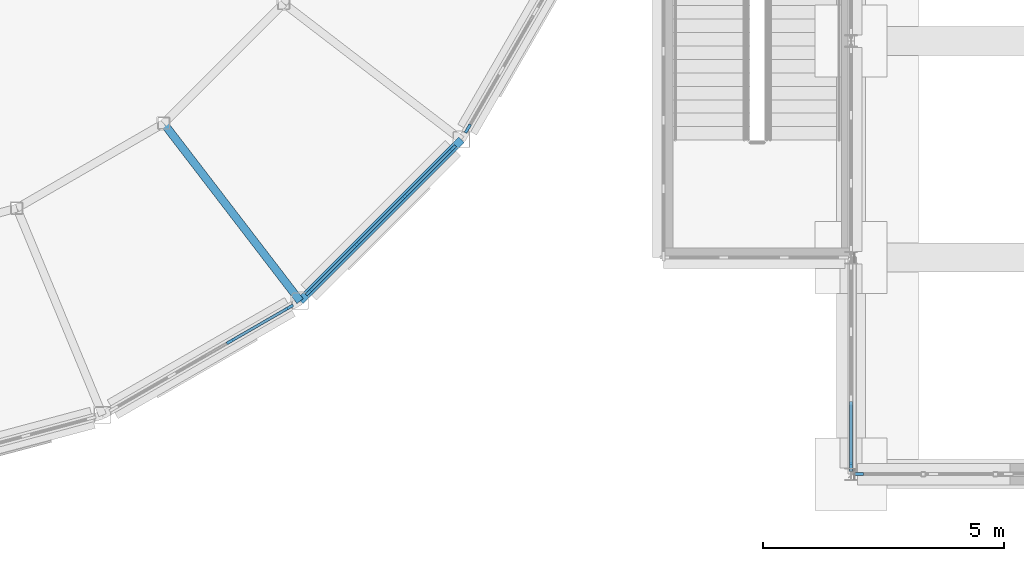
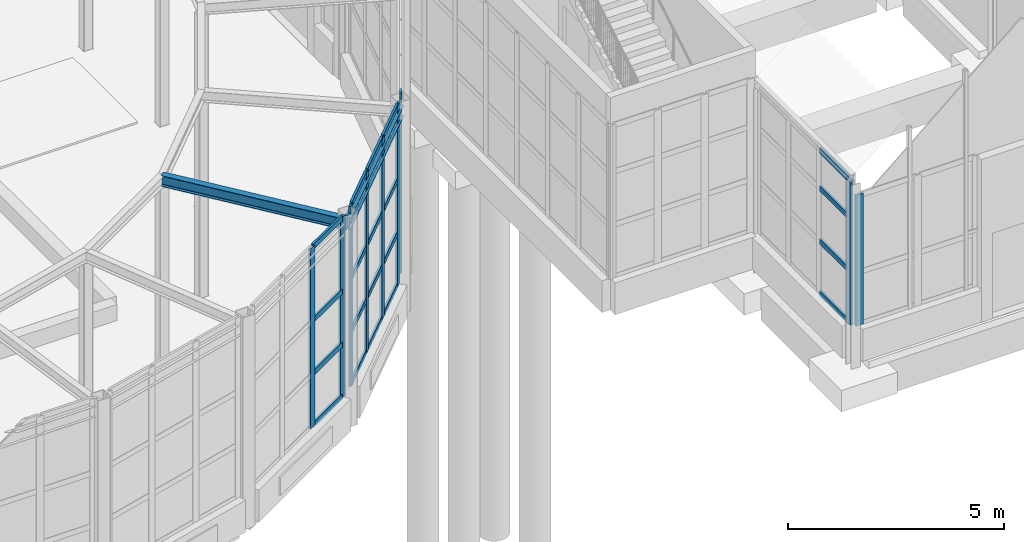
# One storey, part 38 of 106: 29 members, 2 beams, 5 elements without a shape of their own.
"""IFC4 building model written with IfcOpenShell, lengths in metres."""

from ifc_helpers import new_model, si_unit, direction, frame, origin, origin_2d, place, context, subcontext, project, spatial, rectangle, i_section, extrude, material, layer, layer_set, material_profile, profile_set, type_object, element, aggregate, save


model = new_model("IFC4")

# Units and contexts
model_context = context("Model", 3, precision=1e-05, world=origin(), true_north=direction((0.0, 1.0)))
body_context = subcontext(model_context, "Body", "Model", "MODEL_VIEW")
ifc_project = project(units=[si_unit("LENGTHUNIT", "METRE"), si_unit("AREAUNIT", "SQUARE_METRE"), si_unit("VOLUMEUNIT", "CUBIC_METRE"), si_unit("PLANEANGLEUNIT", "RADIAN"), si_unit("MASSUNIT", "GRAM", prefix="KILO")], contexts=[model_context])

# Site, building, storey
site_placement = place(None, origin())
site = spatial("IfcSite", under=ifc_project, at=site_placement, CompositionType="ELEMENT")
building_placement = place(site_placement, origin())
building = spatial("IfcBuilding", under=site, at=building_placement, Name="Hortulan Conservatory and Botanical Research Centre", CompositionType="ELEMENT")
storey_placement = place(building_placement, origin())
storey = spatial("IfcBuildingStorey", under=building, at=storey_placement, Name="L00", CompositionType="ELEMENT", Elevation=0.0)

# Curtain wall, members
ifc_material_1 = material(Name="Bronze-finished aluminium", Category="aluminium")
ifc_layer = layer(ifc_material_1, 0.10009765625)
ifc_layer_set = layer_set([ifc_layer], Name="Bronze-framed Curtain Wall 1500 module")
curtain_wall_type = type_object("IfcCurtainWallType", Name="Bronze-framed Curtain Wall 1500 module", PredefinedType="NOTDEFINED", material=ifc_layer_set)
curtain_wall_1_placement = place(storey_placement, origin())
curtain_wall_1 = element("IfcCurtainWall", 1, at=curtain_wall_1_placement, inside=storey, type_object=curtain_wall_type, Name="Curtain wall", PredefinedType="NOTDEFINED")
ifc_material_profile_1 = material_profile(ifc_material_1, rectangle(XDim=0.06005859375, YDim=0.199951171875, at=origin_2d()), Name="Bronze Mullion 60x200")
ifc_profile_set_1 = profile_set([ifc_material_profile_1], Name="Bronze-finished aluminium")
member_type_1 = type_object("IfcMemberType", Name="Bronze Mullion 60x200", PredefinedType="MULLION", material=ifc_profile_set_1)
member_1_placement = place(storey_placement, frame((64.81884765625, 3.461669921875, 0.89990234375), z_axis=(0.0, 0.0, 1.0), x_axis=(0.499981160235, -0.866036280655, 0.0)))
member_1 = element("IfcMember", 2, at=member_1_placement, type_object=member_type_1, Name="CW1 mullion 1", PredefinedType="MULLION", context=body_context, shape_type="SweptSolid", body=[
    extrude(rectangle(XDim=0.06005859375, YDim=0.199951171875, at=origin_2d()), origin(), (0.0, 0.0, 1.0), 5.10009765625),
])
member_2_placement = place(storey_placement, frame((63.614990234375, 2.7666015625, 0.89990234375), z_axis=(0.0, 0.0, 1.0), x_axis=(0.499981160235, -0.866036280655, 0.0)))
member_2 = element("IfcMember", 3, at=member_2_placement, type_object=member_type_1, Name="CW1 mullion 2", PredefinedType="MULLION", context=body_context, shape_type="SweptSolid", body=[
    extrude(rectangle(XDim=0.06005859375, YDim=0.199951171875, at=origin_2d()), origin(), (0.0, 0.0, 1.0), 5.10009765625),
])

curtain_wall_2_placement = place(storey_placement, origin())
curtain_wall_2 = element("IfcCurtainWall", 4, at=curtain_wall_2_placement, inside=storey, type_object=curtain_wall_type, Name="Curtain wall", PredefinedType="NOTDEFINED")
member_3_placement = place(storey_placement, frame((68.207763671875, 6.751708984375, 0.89990234375), z_axis=(0.0, 0.0, 1.0), x_axis=(0.707106781187, -0.707106781187, 0.0)))
member_3 = element("IfcMember", 5, at=member_3_placement, type_object=member_type_1, Name="CW1 mullion 1", PredefinedType="MULLION", context=body_context, shape_type="SweptSolid", body=[
    extrude(rectangle(XDim=0.06005859375, YDim=0.199951171875, at=origin_2d()), origin(), (0.0, 0.0, 1.0), 5.10009765625),
])
member_4_placement = place(storey_placement, frame((67.228271484375, 5.7724609375, 0.89990234375), z_axis=(0.0, 0.0, 1.0), x_axis=(0.707106781187, -0.707106781187, 0.0)))
member_4 = element("IfcMember", 6, at=member_4_placement, type_object=member_type_1, Name="CW1 mullion 2", PredefinedType="MULLION", context=body_context, shape_type="SweptSolid", body=[
    extrude(rectangle(XDim=0.06005859375, YDim=0.199951171875, at=origin_2d()), origin(), (0.0, 0.0, 1.0), 5.10009765625),
])
member_5_placement = place(storey_placement, frame((66.2275390625, 4.771728515625, 0.89990234375), z_axis=(0.0, 0.0, 1.0), x_axis=(0.707106781187, -0.707106781187, 0.0)))
member_5 = element("IfcMember", 7, at=member_5_placement, type_object=member_type_1, Name="CW1 mullion 3", PredefinedType="MULLION", context=body_context, shape_type="SweptSolid", body=[
    extrude(rectangle(XDim=0.06005859375, YDim=0.199951171875, at=origin_2d()), origin(), (0.0, 0.0, 1.0), 5.10009765625),
])
member_6_placement = place(storey_placement, frame((65.248291015625, 3.792236328125, 0.89990234375), z_axis=(0.0, 0.0, 1.0), x_axis=(0.707106781187, -0.707106781187, 0.0)))
member_6 = element("IfcMember", 8, at=member_6_placement, type_object=member_type_1, Name="CW1 mullion 4", PredefinedType="MULLION", context=body_context, shape_type="SweptSolid", body=[
    extrude(rectangle(XDim=0.06005859375, YDim=0.199951171875, at=origin_2d()), origin(), (0.0, 0.0, 1.0), 5.10009765625),
])

# Curtain wall, member
curtain_wall_3_placement = place(storey_placement, origin())
curtain_wall_3 = element("IfcCurtainWall", 9, at=curtain_wall_3_placement, inside=storey, type_object=curtain_wall_type, Name="Curtain wall", PredefinedType="NOTDEFINED")
member_7_placement = place(storey_placement, frame((68.538330078125, 7.18115234375, 0.89990234375), z_axis=(0.0, 0.0, 1.0), x_axis=(0.866036280655, -0.499981160235, 0.0)))
member_7 = element("IfcMember", 10, at=member_7_placement, type_object=member_type_1, Name="CW1 mullion 4", PredefinedType="MULLION", context=body_context, shape_type="SweptSolid", body=[
    extrude(rectangle(XDim=0.06005859375, YDim=0.199951171875, at=origin_2d()), origin(), (0.0, 0.0, 1.0), 5.10009765625),
])
aggregate(curtain_wall_3, [member_7])

curtain_wall_4_placement = place(storey_placement, origin())
curtain_wall_4 = element("IfcCurtainWall", 11, at=curtain_wall_4_placement, inside=storey, type_object=curtain_wall_type, Name="Curtain wall", PredefinedType="NOTDEFINED")
member_8_placement = place(storey_placement, frame((76.656982421875, 0.0, 0.89990234375), z_axis=(0.0, 0.0, 1.0), x_axis=(0.0, -1.0, 0.0)))
member_8 = element("IfcMember", 12, at=member_8_placement, type_object=member_type_1, Name="CW1 mullion 3", PredefinedType="MULLION", context=body_context, shape_type="SweptSolid", body=[
    extrude(rectangle(XDim=0.06005859375, YDim=0.199951171875, at=origin_2d()), origin(), (0.0, 0.0, 1.0), 3.7001953125),
])
aggregate(curtain_wall_4, [member_8])

curtain_wall_5_placement = place(storey_placement, origin())
curtain_wall_5 = element("IfcCurtainWall", 13, at=curtain_wall_5_placement, inside=storey, type_object=curtain_wall_type, Name="Curtain wall", PredefinedType="NOTDEFINED")
member_9_placement = place(storey_placement, frame((76.5, 0.156982421875, 0.89990234375), z_axis=(0.0, 0.0, 1.0), x_axis=(1.0, 0.0, 0.0)))
member_9 = element("IfcMember", 14, at=member_9_placement, type_object=member_type_1, Name="CW1 mullion 4", PredefinedType="MULLION", context=body_context, shape_type="SweptSolid", body=[
    extrude(rectangle(XDim=0.06005859375, YDim=0.199951171875, at=origin_2d()), origin(), (0.0, 0.0, 1.0), 4.10009765625),
])

# Member
ifc_material_profile_2 = material_profile(ifc_material_1, rectangle(XDim=0.06005859375, YDim=0.14990234375, at=origin_2d()), Name="Bronze Transom 60x150")
ifc_profile_set_2 = profile_set([ifc_material_profile_2], Name="Bronze-finished aluminium")
member_type_2 = type_object("IfcMemberType", Name="Bronze Transom 60x150", PredefinedType="USERDEFINED", material=ifc_profile_set_2)
member_10_placement = place(storey_placement, frame((64.79296875, 3.446533203125, 0.929931640625), z_axis=(-0.866066400931, -0.499928984136, 0.0), x_axis=(0.499928984136, -0.866066400931, 0.0)))
member_10 = element("IfcMember", 15, at=member_10_placement, type_object=member_type_2, Name="CW1 transom 1.1", ObjectType="TRANSOM", PredefinedType="USERDEFINED", context=body_context, shape_type="SweptSolid", body=[
    extrude(rectangle(XDim=0.06005859375, YDim=0.14990234375, at=origin_2d()), origin(), (0.0, 0.0, 1.0), 1.330322265625),
])

member_11_placement = place(storey_placement, frame((64.79296875, 3.446533203125, 2.39990234375), z_axis=(-0.866066400931, -0.499928984136, 0.0), x_axis=(0.499928984136, -0.866066400931, 0.0)))
member_11 = element("IfcMember", 16, at=member_11_placement, type_object=member_type_2, Name="CW1 transom 1.2", ObjectType="TRANSOM", PredefinedType="USERDEFINED", context=body_context, shape_type="SweptSolid", body=[
    extrude(rectangle(XDim=0.06005859375, YDim=0.14990234375, at=origin_2d()), origin(), (0.0, 0.0, 1.0), 1.330322265625),
])

member_12_placement = place(storey_placement, frame((64.79296875, 3.446533203125, 3.89990234375), z_axis=(-0.866066400931, -0.499928984136, 0.0), x_axis=(0.499928984136, -0.866066400931, 0.0)))
member_12 = element("IfcMember", 17, at=member_12_placement, type_object=member_type_2, Name="CW1 transom 1.3", ObjectType="TRANSOM", PredefinedType="USERDEFINED", context=body_context, shape_type="SweptSolid", body=[
    extrude(rectangle(XDim=0.06005859375, YDim=0.14990234375, at=origin_2d()), origin(), (0.0, 0.0, 1.0), 1.330322265625),
])

member_13_placement = place(storey_placement, frame((64.79296875, 3.446533203125, 5.969970703125), z_axis=(-0.866066400931, -0.499928984136, 0.0), x_axis=(0.499928984136, -0.866066400931, 0.0)))
member_13 = element("IfcMember", 18, at=member_13_placement, type_object=member_type_2, Name="CW1 transom 1.4", ObjectType="TRANSOM", PredefinedType="USERDEFINED", context=body_context, shape_type="SweptSolid", body=[
    extrude(rectangle(XDim=0.06005859375, YDim=0.14990234375, at=origin_2d()), origin(), (0.0, 0.0, 1.0), 1.330322265625),
])

aggregate(curtain_wall_1, [member_1, member_2, member_10, member_11, member_12, member_13])

member_14_placement = place(storey_placement, frame((68.1865234375, 6.73046875, 0.929931640625), z_axis=(-0.70719890636, -0.707014644009, 0.0), x_axis=(0.707014644009, -0.70719890636, 0.0)))
member_14 = element("IfcMember", 19, at=member_14_placement, type_object=member_type_2, Name="CW1 transom 1.1", ObjectType="TRANSOM", PredefinedType="USERDEFINED", context=body_context, shape_type="SweptSolid", body=[
    extrude(rectangle(XDim=0.06005859375, YDim=0.14990234375, at=origin_2d()), origin(), (0.0, 0.0, 1.0), 1.324951171875),
])

member_15_placement = place(storey_placement, frame((68.1865234375, 6.73046875, 2.39990234375), z_axis=(-0.70719890636, -0.707014644009, 0.0), x_axis=(0.707014644009, -0.70719890636, 0.0)))
member_15 = element("IfcMember", 20, at=member_15_placement, type_object=member_type_2, Name="CW1 transom 1.2", ObjectType="TRANSOM", PredefinedType="USERDEFINED", context=body_context, shape_type="SweptSolid", body=[
    extrude(rectangle(XDim=0.06005859375, YDim=0.14990234375, at=origin_2d()), origin(), (0.0, 0.0, 1.0), 1.324951171875),
])

member_16_placement = place(storey_placement, frame((68.1865234375, 6.73046875, 3.89990234375), z_axis=(-0.70719890636, -0.707014644009, 0.0), x_axis=(0.707014644009, -0.70719890636, 0.0)))
member_16 = element("IfcMember", 21, at=member_16_placement, type_object=member_type_2, Name="CW1 transom 1.3", ObjectType="TRANSOM", PredefinedType="USERDEFINED", context=body_context, shape_type="SweptSolid", body=[
    extrude(rectangle(XDim=0.06005859375, YDim=0.14990234375, at=origin_2d()), origin(), (0.0, 0.0, 1.0), 1.324951171875),
])

member_17_placement = place(storey_placement, frame((68.1865234375, 6.73046875, 5.969970703125), z_axis=(-0.70719890636, -0.707014644009, 0.0), x_axis=(0.707014644009, -0.70719890636, 0.0)))
member_17 = element("IfcMember", 22, at=member_17_placement, type_object=member_type_2, Name="CW1 transom 1.4", ObjectType="TRANSOM", PredefinedType="USERDEFINED", context=body_context, shape_type="SweptSolid", body=[
    extrude(rectangle(XDim=0.06005859375, YDim=0.14990234375, at=origin_2d()), origin(), (0.0, 0.0, 1.0), 1.324951171875),
])

member_18_placement = place(storey_placement, frame((67.20703125, 5.751220703125, 0.929931640625), z_axis=(-0.707106781187, -0.707106781187, 0.0), x_axis=(0.707106781187, -0.707106781187, 0.0)))
member_18 = element("IfcMember", 23, at=member_18_placement, type_object=member_type_2, Name="CW1 transom 2.1", ObjectType="TRANSOM", PredefinedType="USERDEFINED", context=body_context, shape_type="SweptSolid", body=[
    extrude(rectangle(XDim=0.06005859375, YDim=0.14990234375, at=origin_2d()), origin(), (0.0, 0.0, 1.0), 1.355224609375),
])

member_19_placement = place(storey_placement, frame((67.20703125, 5.751220703125, 2.39990234375), z_axis=(-0.707106781187, -0.707106781187, 0.0), x_axis=(0.707106781187, -0.707106781187, 0.0)))
member_19 = element("IfcMember", 24, at=member_19_placement, type_object=member_type_2, Name="CW1 transom 2.2", ObjectType="TRANSOM", PredefinedType="USERDEFINED", context=body_context, shape_type="SweptSolid", body=[
    extrude(rectangle(XDim=0.06005859375, YDim=0.14990234375, at=origin_2d()), origin(), (0.0, 0.0, 1.0), 1.355224609375),
])

member_20_placement = place(storey_placement, frame((67.20703125, 5.751220703125, 3.89990234375), z_axis=(-0.707106781187, -0.707106781187, 0.0), x_axis=(0.707106781187, -0.707106781187, 0.0)))
member_20 = element("IfcMember", 25, at=member_20_placement, type_object=member_type_2, Name="CW1 transom 2.3", ObjectType="TRANSOM", PredefinedType="USERDEFINED", context=body_context, shape_type="SweptSolid", body=[
    extrude(rectangle(XDim=0.06005859375, YDim=0.14990234375, at=origin_2d()), origin(), (0.0, 0.0, 1.0), 1.355224609375),
])

member_21_placement = place(storey_placement, frame((67.20703125, 5.751220703125, 5.969970703125), z_axis=(-0.707106781187, -0.707106781187, 0.0), x_axis=(0.707106781187, -0.707106781187, 0.0)))
member_21 = element("IfcMember", 26, at=member_21_placement, type_object=member_type_2, Name="CW1 transom 2.4", ObjectType="TRANSOM", PredefinedType="USERDEFINED", context=body_context, shape_type="SweptSolid", body=[
    extrude(rectangle(XDim=0.06005859375, YDim=0.14990234375, at=origin_2d()), origin(), (0.0, 0.0, 1.0), 1.355224609375),
])

member_22_placement = place(storey_placement, frame((66.206298828125, 4.75048828125, 0.929931640625), z_axis=(-0.707014644009, -0.70719890636, 0.0), x_axis=(0.70719890636, -0.707014644009, 0.0)))
member_22 = element("IfcMember", 27, at=member_22_placement, type_object=member_type_2, Name="CW1 transom 3.1", ObjectType="TRANSOM", PredefinedType="USERDEFINED", context=body_context, shape_type="SweptSolid", body=[
    extrude(rectangle(XDim=0.06005859375, YDim=0.14990234375, at=origin_2d()), origin(), (0.0, 0.0, 1.0), 1.324951171875),
])

member_23_placement = place(storey_placement, frame((66.206298828125, 4.75048828125, 2.39990234375), z_axis=(-0.707014644009, -0.70719890636, 0.0), x_axis=(0.70719890636, -0.707014644009, 0.0)))
member_23 = element("IfcMember", 28, at=member_23_placement, type_object=member_type_2, Name="CW1 transom 3.2", ObjectType="TRANSOM", PredefinedType="USERDEFINED", context=body_context, shape_type="SweptSolid", body=[
    extrude(rectangle(XDim=0.06005859375, YDim=0.14990234375, at=origin_2d()), origin(), (0.0, 0.0, 1.0), 1.324951171875),
])

member_24_placement = place(storey_placement, frame((66.206298828125, 4.75048828125, 3.89990234375), z_axis=(-0.707014644009, -0.70719890636, 0.0), x_axis=(0.70719890636, -0.707014644009, 0.0)))
member_24 = element("IfcMember", 29, at=member_24_placement, type_object=member_type_2, Name="CW1 transom 3.3", ObjectType="TRANSOM", PredefinedType="USERDEFINED", context=body_context, shape_type="SweptSolid", body=[
    extrude(rectangle(XDim=0.06005859375, YDim=0.14990234375, at=origin_2d()), origin(), (0.0, 0.0, 1.0), 1.324951171875),
])

member_25_placement = place(storey_placement, frame((66.206298828125, 4.75048828125, 5.969970703125), z_axis=(-0.707014644009, -0.70719890636, 0.0), x_axis=(0.70719890636, -0.707014644009, 0.0)))
member_25 = element("IfcMember", 30, at=member_25_placement, type_object=member_type_2, Name="CW1 transom 3.4", ObjectType="TRANSOM", PredefinedType="USERDEFINED", context=body_context, shape_type="SweptSolid", body=[
    extrude(rectangle(XDim=0.06005859375, YDim=0.14990234375, at=origin_2d()), origin(), (0.0, 0.0, 1.0), 1.324951171875),
])

aggregate(curtain_wall_2, [member_3, member_4, member_5, member_6, member_14, member_15, member_16, member_17, member_18, member_19, member_20, member_21, member_22, member_23, member_24, member_25])

member_26_placement = place(storey_placement, frame((76.5, 1.512451171875, 0.929931640625), z_axis=(0.0, -1.0, 0.0), x_axis=(1.0, 0.0, 0.0)))
member_26 = element("IfcMember", 31, at=member_26_placement, type_object=member_type_2, Name="CW1 transom 3.1", ObjectType="TRANSOM", PredefinedType="USERDEFINED", context=body_context, shape_type="SweptSolid", body=[
    extrude(rectangle(XDim=0.06005859375, YDim=0.14990234375, at=origin_2d()), origin(), (0.0, 0.0, 1.0), 1.325439453125),
])

member_27_placement = place(storey_placement, frame((76.5, 1.512451171875, 2.39990234375), z_axis=(0.0, -1.0, 0.0), x_axis=(1.0, 0.0, 0.0)))
member_27 = element("IfcMember", 32, at=member_27_placement, type_object=member_type_2, Name="CW1 transom 3.2", ObjectType="TRANSOM", PredefinedType="USERDEFINED", context=body_context, shape_type="SweptSolid", body=[
    extrude(rectangle(XDim=0.06005859375, YDim=0.14990234375, at=origin_2d()), origin(), (0.0, 0.0, 1.0), 1.325439453125),
])

member_28_placement = place(storey_placement, frame((76.5, 1.512451171875, 3.89990234375), z_axis=(0.0, -1.0, 0.0), x_axis=(1.0, 0.0, 0.0)))
member_28 = element("IfcMember", 33, at=member_28_placement, type_object=member_type_2, Name="CW1 transom 3.3", ObjectType="TRANSOM", PredefinedType="USERDEFINED", context=body_context, shape_type="SweptSolid", body=[
    extrude(rectangle(XDim=0.06005859375, YDim=0.14990234375, at=origin_2d()), origin(), (0.0, 0.0, 1.0), 1.325439453125),
])

member_29_placement = place(storey_placement, frame((76.5, 1.512451171875, 4.969970703125), z_axis=(0.0, -1.0, 0.0), x_axis=(1.0, 0.0, 0.0)))
member_29 = element("IfcMember", 34, at=member_29_placement, type_object=member_type_2, Name="CW1 transom 3.4", ObjectType="TRANSOM", PredefinedType="USERDEFINED", context=body_context, shape_type="SweptSolid", body=[
    extrude(rectangle(XDim=0.06005859375, YDim=0.14990234375, at=origin_2d()), origin(), (0.0, 0.0, 1.0), 1.325439453125),
])

aggregate(curtain_wall_5, [member_9, member_26, member_27, member_28, member_29])

# Beams
ifc_material_2 = material(Name="Steel Grade 300PLUS (AS/NZS 3679.1, 280 MPa minimum yield)", Category="steel")
ifc_material_profile_3 = material_profile(ifc_material_2, i_section(OverallWidth=0.166015625, OverallDepth=0.306884765625, WebThickness=0.006591796875, FlangeThickness=0.01171875, FilletRadius=0.011474609375, at=origin_2d()), Name="310UB46.2")
ifc_profile_set_3 = profile_set([ifc_material_profile_3], Name="Steel Grade 300PLUS (AS/NZS 3679.1, 280 MPa minimum yield)")
beam_type = type_object("IfcBeamType", Name="Dome Canopy Walk Beam 310UB46.2", PredefinedType="BEAM", material=ifc_profile_set_3)
beam_1_placement = place(storey_placement, frame((62.21826171875, 7.289794921875, 5.646484375), z_axis=(0.608757379764, -0.79335644737, 0.0), x_axis=(0.79335644737, 0.608757379764, 0.0)))
element("IfcBeam", 35, at=beam_1_placement, inside=storey, type_object=beam_type, Name="Canopy walk radial beam 21", PredefinedType="BEAM", context=body_context, shape_type="SweptSolid", body=[
    extrude(i_section(OverallWidth=0.166015625, OverallDepth=0.306884765625, WebThickness=0.006591796875, FlangeThickness=0.01171875, FilletRadius=0.011474609375, at=origin_2d()), origin(), (0.0, 0.0, 1.0), 4.6552734375),
])
beam_2_placement = place(storey_placement, frame((65.05224609375, 3.596435546875, 5.646484375), z_axis=(0.707106781187, 0.707106781187, 0.0), x_axis=(-0.707106781187, 0.707106781187, 0.0)))
element("IfcBeam", 36, at=beam_2_placement, inside=storey, type_object=beam_type, Name="Canopy walk edge beam 21", PredefinedType="BEAM", context=body_context, shape_type="SweptSolid", body=[
    extrude(i_section(OverallWidth=0.166015625, OverallDepth=0.306884765625, WebThickness=0.006591796875, FlangeThickness=0.01171875, FilletRadius=0.011474609375, at=origin_2d()), origin(), (0.0, 0.0, 1.0), 4.739501953125),
])

save(model, "model.ifc")
